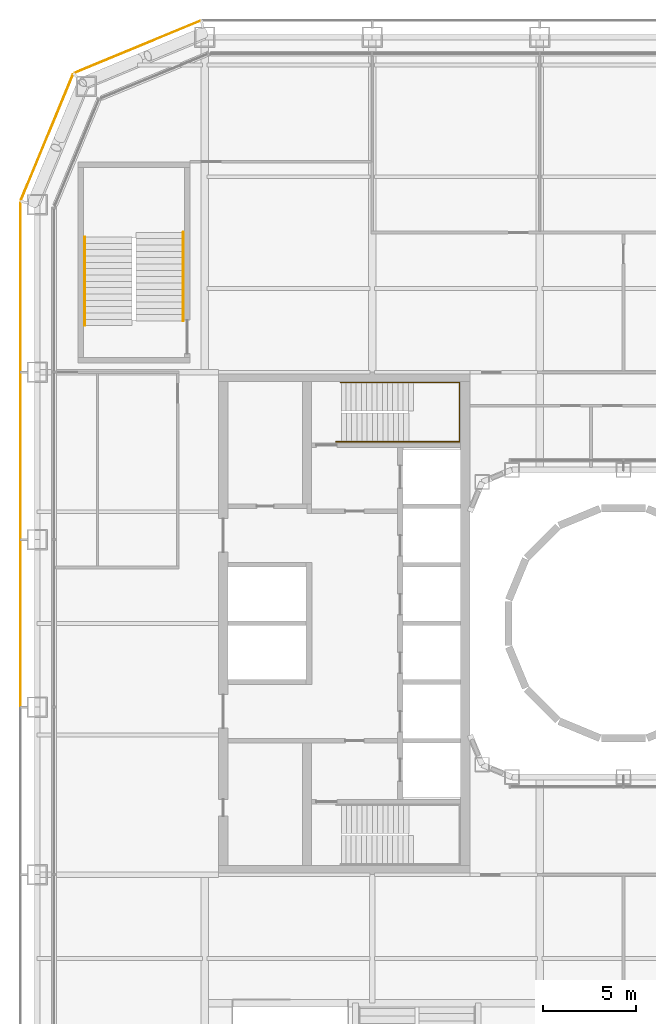
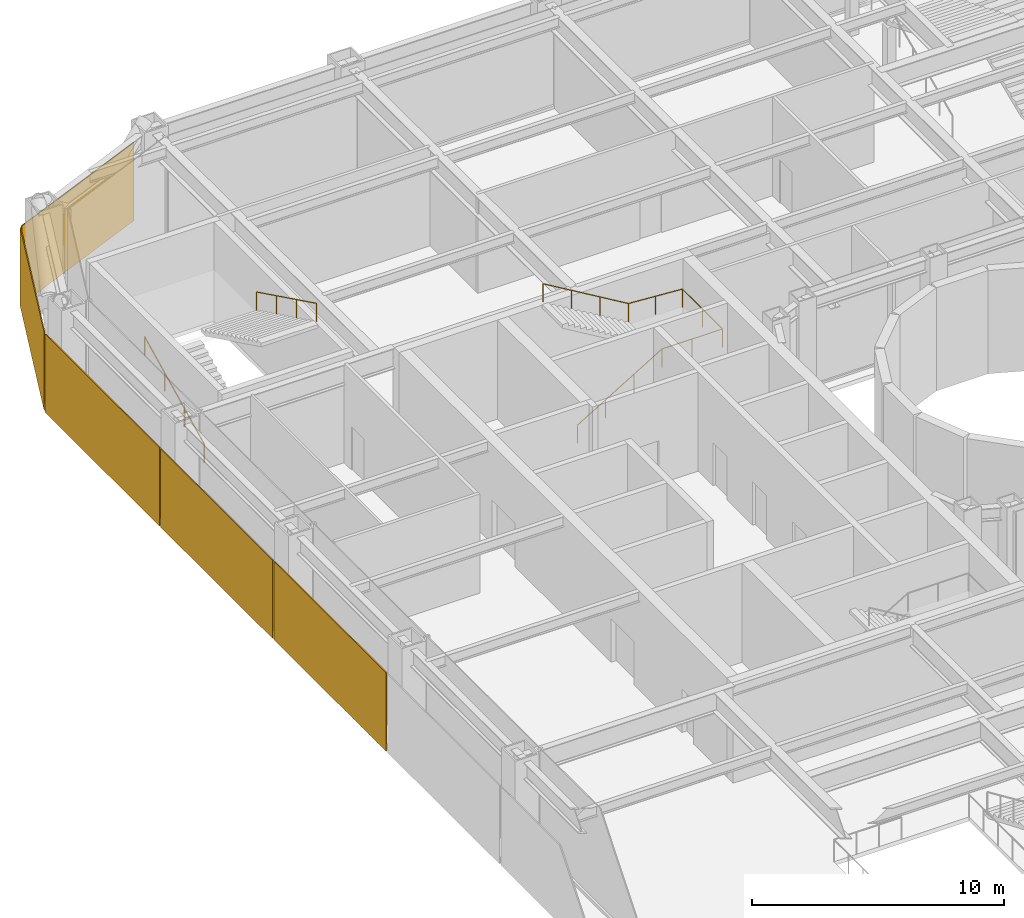
# One storey, part 23 of 25: 5 coverings, 3 railings.
"""IFC4 building model written with IfcOpenShell, lengths in metres."""

from ifc_helpers import new_model, si_unit, direction, frame, origin, origin_2d, place, context, subcontext, project, spatial, rectangle, circle, extrude, material, layer, layer_set, type_object, element, save


model = new_model("IFC4")

# Units and contexts
model_context = context("Model", 3, precision=1e-05, world=origin(), true_north=direction((0.0, 1.0)))
body_context = subcontext(model_context, "Body", "Model", "MODEL_VIEW")
ifc_project = project(units=[si_unit("LENGTHUNIT", "METRE"), si_unit("AREAUNIT", "SQUARE_METRE"), si_unit("VOLUMEUNIT", "CUBIC_METRE"), si_unit("PLANEANGLEUNIT", "RADIAN"), si_unit("MASSUNIT", "GRAM", prefix="KILO")], contexts=[model_context])

# Site, building, storey
site_placement = place(None, origin())
site = spatial("IfcSite", under=ifc_project, at=site_placement, CompositionType="ELEMENT")
building_placement = place(site_placement, origin())
building = spatial("IfcBuilding", under=site, at=building_placement, Name="Siwar Civic Tower", CompositionType="ELEMENT")
storey_placement = place(building_placement, frame((0.0, 0.0, 7.199951171875)))
storey = spatial("IfcBuildingStorey", under=building, at=storey_placement, Name="L01", CompositionType="ELEMENT", Elevation=7.199951171875)

# Railing
ifc_material_1 = material(Name="Stainless steel", Category="steel")
railing_type_1 = type_object("IfcRailingType", Name="CORE-STAIR-HANDRAIL", PredefinedType="HANDRAIL", material=ifc_material_1)
railing_1_placement = place(storey_placement, frame((-15.449951171875, 9.758056640625, 0.166748046875)))
element("IfcRailing", 1, at=railing_1_placement, inside=storey, type_object=railing_type_1, Name="Stair handrail ST1", PredefinedType="HANDRAIL", context=body_context, shape_type="SweptSolid", body=[
    extrude(circle(Radius=0.02001953125, at=origin_2d()), frame((0.0, 0.0, 0.8798828125), z_axis=(0.856384976194, 0.0, 0.516337847296), x_axis=(0.0, 1.0, 0.0)), (0.0, 0.0, 1.0), 4.518798828125),
    extrude(circle(Radius=0.02001953125, at=origin_2d()), frame((3.869873046875, 0.0, 3.213134765625), z_axis=(1.0, 0.0, 0.0), x_axis=(0.0, 1.0, 0.0)), (0.0, 0.0, 1.0), 2.77197265625),
    extrude(circle(Radius=0.02001953125, at=origin_2d()), frame((6.641845703125, 0.0, 3.213134765625), z_axis=(0.0, 1.0, 0.0), x_axis=(-1.0, 0.0, 0.0)), (0.0, 0.0, 1.0), 3.183837890625),
    extrude(circle(Radius=0.02001953125, at=origin_2d()), frame((6.641845703125, 3.183837890625, 3.213134765625), z_axis=(-0.997732526271, 0.0, 0.067303833624), x_axis=(0.0, -1.0, 0.0)), (0.0, 0.0, 1.0), 2.4775390625),
    extrude(circle(Radius=0.02001953125, at=origin_2d()), frame((4.169921875, 3.183837890625, 3.3798828125), z_axis=(-0.859296244711, 0.0, 0.511478214419), x_axis=(0.0, -1.0, 0.0)), (0.0, 0.0, 1.0), 4.561767578125),
    extrude(circle(Radius=0.02001953125, at=origin_2d()), origin(), (0.0, 0.0, 1.0), 0.85986328125),
    extrude(circle(Radius=0.02001953125, at=origin_2d()), frame((1.2900390625, 0.0, 0.77783203125)), (0.0, 0.0, 1.0), 0.85986328125),
    extrude(circle(Radius=0.02001953125, at=origin_2d()), frame((2.579833984375, 0.0, 1.555419921875)), (0.0, 0.0, 1.0), 0.85986328125),
    extrude(circle(Radius=0.02001953125, at=origin_2d()), frame((3.869873046875, 0.0, 2.333251953125)), (0.0, 0.0, 1.0), 0.85986328125),
    extrude(circle(Radius=0.02001953125, at=origin_2d()), frame((5.255859375, 0.0, 2.333251953125)), (0.0, 0.0, 1.0), 0.85986328125),
    extrude(circle(Radius=0.02001953125, at=origin_2d()), frame((6.641845703125, 0.0, 2.333251953125)), (0.0, 0.0, 1.0), 0.85986328125),
    extrude(circle(Radius=0.02001953125, at=origin_2d()), frame((6.641845703125, 1.591796875, 2.333251953125)), (0.0, 0.0, 1.0), 0.85986328125),
    extrude(circle(Radius=0.02001953125, at=origin_2d()), frame((6.641845703125, 3.183837890625, 2.333251953125)), (0.0, 0.0, 1.0), 0.85986328125),
    extrude(circle(Radius=0.02001953125, at=origin_2d()), frame((5.40576171875, 3.183837890625, 2.41650390625)), (0.0, 0.0, 1.0), 0.85986328125),
    extrude(circle(Radius=0.02001953125, at=origin_2d()), frame((4.169921875, 3.183837890625, 2.5)), (0.0, 0.0, 1.0), 0.85986328125),
    extrude(circle(Radius=0.02001953125, at=origin_2d()), frame((2.86328125, 3.183837890625, 3.27783203125)), (0.0, 0.0, 1.0), 0.85986328125),
    extrude(circle(Radius=0.02001953125, at=origin_2d()), frame((1.556640625, 3.183837890625, 4.055419921875)), (0.0, 0.0, 1.0), 0.85986328125),
    extrude(circle(Radius=0.02001953125, at=origin_2d()), frame((0.25, 3.183837890625, 4.833251953125)), (0.0, 0.0, 1.0), 0.85986328125),
])

# Coverings
ifc_material_2 = material(Name="Perforated aluminium cassette, pale metal", Category="aluminium")
ifc_layer_1 = layer(ifc_material_2, 0.0400390625)
ifc_layer_set_1 = layer_set([ifc_layer_1], Name="Perforated aluminium cassette, pale metal")
covering_type_1 = type_object("IfcCoveringType", Name="ENV-OUTER SKIN OS-1", PredefinedType="CLADDING", material=ifc_layer_set_1)
covering_1_placement = place(storey_placement, frame((-26.115966796875, 30.976318359375, -0.2001953125), z_axis=(0.0, 0.0, 1.0), x_axis=(-0.923879532511, -0.382683432365, 0.0)))
element("IfcCovering", 2, at=covering_1_placement, inside=storey, type_object=covering_type_1, Name="OUTER SKIN OS-1 NW1 1", PredefinedType="CLADDING", context=body_context, shape_type="SweptSolid", body=[
    extrude(rectangle(XDim=7.300048828125, YDim=0.0400390625, at=origin_2d()), origin(), (0.0, 0.0, 1.0), 3.800048828125),
])
ifc_material_3 = material(Name="Perforated aluminium cassette, pale metal", Category="aluminium")
ifc_layer_2 = layer(ifc_material_3, 0.044921875)
ifc_layer_set_2 = layer_set([ifc_layer_2], Name="Perforated aluminium cassette, pale metal")
covering_type_2 = type_object("IfcCoveringType", Name="ENV-OUTER SKIN OS-2", PredefinedType="CLADDING", material=ifc_layer_set_2)
covering_2_placement = place(storey_placement, frame((-30.976318359375, 26.115966796875, -0.2001953125), z_axis=(0.0, 0.0, 1.0), x_axis=(-0.382683432365, -0.923879532511, 0.0)))
element("IfcCovering", 3, at=covering_2_placement, inside=storey, type_object=covering_type_2, Name="OUTER SKIN OS-2 NW2 1", PredefinedType="CLADDING", context=body_context, shape_type="SweptSolid", body=[
    extrude(rectangle(XDim=7.300048828125, YDim=0.044921875, at=origin_2d()), origin(), (0.0, 0.0, 1.0), 3.800048828125),
])
ifc_material_4 = material(Name="Perforated aluminium cassette, pale metal", Category="aluminium")
ifc_layer_3 = layer(ifc_material_4, 0.050048828125)
ifc_layer_set_3 = layer_set([ifc_layer_3], Name="Perforated aluminium cassette, pale metal")
covering_type_3 = type_object("IfcCoveringType", Name="ENV-OUTER SKIN OS-3", PredefinedType="CLADDING", material=ifc_layer_set_3)
covering_3_placement = place(storey_placement, frame((-32.39990234375, 18.07958984375, -0.2001953125), z_axis=(0.0, 0.0, 1.0), x_axis=(0.0, -1.0, 0.0)))
element("IfcCovering", 4, at=covering_3_placement, inside=storey, type_object=covering_type_3, Name="OUTER SKIN OS-3 W 1", PredefinedType="CLADDING", context=body_context, shape_type="SweptSolid", body=[
    extrude(rectangle(XDim=9.05908203125, YDim=0.050048828125, at=origin_2d()), origin(), (0.0, 0.0, 1.0), 3.800048828125),
])
for number, where, z_axis, x_axis, name in (
    (5, (-32.39990234375, 9.0, -0.2001953125), (0.0, 0.0, 1.0), (0.0, -1.0, 0.0), "OUTER SKIN OS-3 W 2"),
    (6, (-32.39990234375, 0.0, -0.2001953125), (0.0, 0.0, 1.0), (0.0, -1.0, 0.0), "OUTER SKIN OS-3 W 3"),
):
    element("IfcCovering", number, at=place(storey_placement, frame(where, z_axis=z_axis, x_axis=x_axis)), inside=storey, type_object=covering_type_3, Name=name, PredefinedType="CLADDING", context=body_context, shape_type="SweptSolid", body=[
        extrude(rectangle(XDim=8.89990234375, YDim=0.050048828125, at=origin_2d()), origin(), (0.0, 0.0, 1.0), 3.800048828125),
    ])

# Railings
ifc_material_5 = material(Name="Stainless steel", Category="steel")
railing_type_2 = type_object("IfcRailingType", Name="GND-HANDRAIL", PredefinedType="HANDRAIL", material=ifc_material_5)
railing_2_placement = place(storey_placement, frame((-28.94189453125, 16.0, 0.166748046875)))
element("IfcRailing", 7, at=railing_2_placement, inside=storey, type_object=railing_type_2, Name="Stair handrail ST5", PredefinedType="HANDRAIL", context=body_context, shape_type="SweptSolid", body=[
    extrude(circle(Radius=0.02001953125, at=origin_2d()), frame((0.0, 0.0, 0.8798828125), z_axis=(0.0, 0.897927146867, 0.440144111535), x_axis=(-1.0, 0.0, 0.0)), (0.0, 0.0, 1.0), 5.301025390625),
    extrude(circle(Radius=0.02001953125, at=origin_2d()), origin(), (0.0, 0.0, 1.0), 0.85986328125),
    extrude(circle(Radius=0.02001953125, at=origin_2d()), frame((0.0, 1.586669921875, 0.77783203125)), (0.0, 0.0, 1.0), 0.85986328125),
    extrude(circle(Radius=0.02001953125, at=origin_2d()), frame((0.0, 3.17333984375, 1.555419921875)), (0.0, 0.0, 1.0), 0.85986328125),
    extrude(circle(Radius=0.02001953125, at=origin_2d()), frame((0.0, 4.760009765625, 2.333251953125)), (0.0, 0.0, 1.0), 0.85986328125),
])
railing_3_placement = place(storey_placement, frame((-23.657958984375, 21.010009765625, 2.666748046875)))
element("IfcRailing", 8, at=railing_3_placement, inside=storey, type_object=railing_type_2, Name="Stair handrail ST5", PredefinedType="HANDRAIL", context=body_context, shape_type="SweptSolid", body=[
    extrude(circle(Radius=0.02001953125, at=origin_2d()), frame((0.0, 0.0, 0.8798828125), z_axis=(0.0, -0.897927146867, 0.440144111535), x_axis=(1.0, 0.0, 0.0)), (0.0, 0.0, 1.0), 5.301025390625),
    extrude(circle(Radius=0.02001953125, at=origin_2d()), origin(), (0.0, 0.0, 1.0), 0.85986328125),
    extrude(circle(Radius=0.02001953125, at=origin_2d()), frame((0.0, -1.586669921875, 0.77783203125)), (0.0, 0.0, 1.0), 0.85986328125),
    extrude(circle(Radius=0.02001953125, at=origin_2d()), frame((0.0, -3.17333984375, 1.555419921875)), (0.0, 0.0, 1.0), 0.85986328125),
    extrude(circle(Radius=0.02001953125, at=origin_2d()), frame((0.0, -4.760009765625, 2.333251953125)), (0.0, 0.0, 1.0), 0.85986328125),
])

save(model, "model.ifc")
